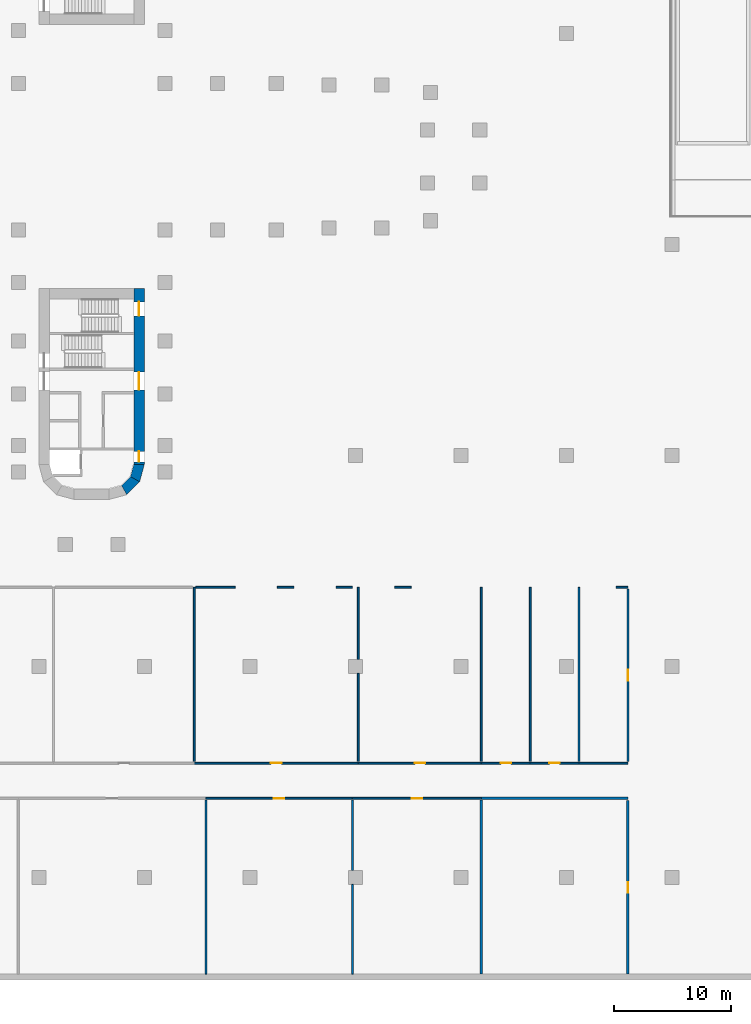
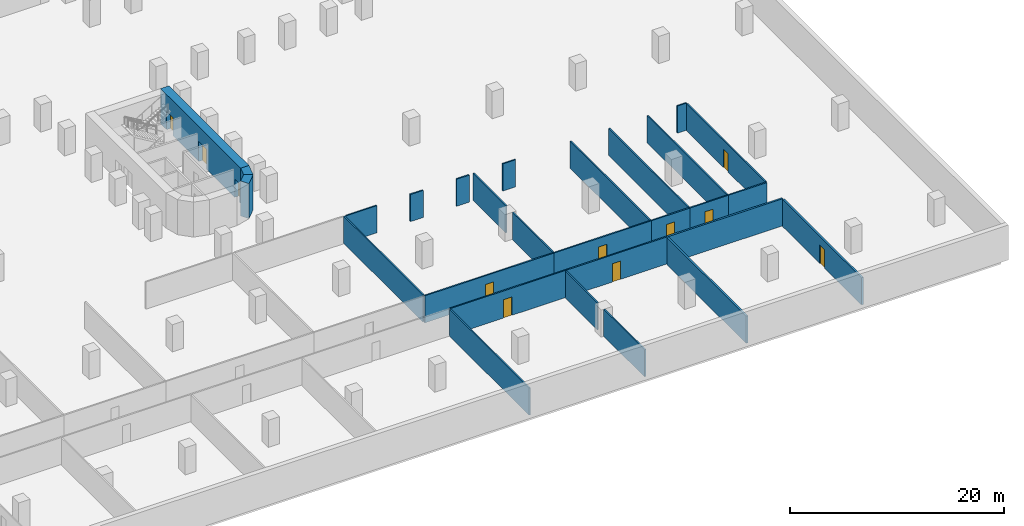
# One storey, part 6 of 11: 28 walls, 11 doors, 11 openings.
"""IFC4 building model written with IfcOpenShell, lengths in metres."""

from ifc_helpers import new_model, si_unit, direction, frame, frame_2d, origin, place, context, subcontext, project, spatial, polyline, rectangle, outline, extrude, material, layer, layer_set, type_object, element, fill, save


model = new_model("IFC4")

# Units and contexts
model_context = context("Model", 3, precision=1e-05, world=origin(), true_north=direction((0.0, 1.0)))
body_context = subcontext(model_context, "Body", "Model", "MODEL_VIEW")
ifc_project = project(units=[si_unit("LENGTHUNIT", "METRE"), si_unit("AREAUNIT", "SQUARE_METRE"), si_unit("VOLUMEUNIT", "CUBIC_METRE"), si_unit("PLANEANGLEUNIT", "RADIAN"), si_unit("MASSUNIT", "GRAM", prefix="KILO")], contexts=[model_context])

# Site, building, storey
site_placement = place(None, origin())
site = spatial("IfcSite", under=ifc_project, at=site_placement, CompositionType="ELEMENT")
building_placement = place(site_placement, origin())
building = spatial("IfcBuilding", under=site, at=building_placement, Name="Zarbagh Exchange Tower", CompositionType="ELEMENT")
storey_placement = place(building_placement, frame((0.0, 0.0, -4.0)))
storey = spatial("IfcBuildingStorey", under=building, at=storey_placement, Name="B1", CompositionType="ELEMENT", Elevation=-4.0)

# Wall, opening, door
ifc_material_1 = material(Name="Plasterboard partition")
ifc_layer_1 = layer(ifc_material_1, 0.14990234375)
ifc_layer_set_1 = layer_set([ifc_layer_1], Name="Board partition 150")
wall_type_1 = type_object("IfcWallType", Name="Board partition 150", PredefinedType="PARTITIONING", material=ifc_layer_set_1)
wall_1_placement = place(storey_placement, frame((22.25, -54.75, 0.0), z_axis=(0.0, 0.0, 1.0), x_axis=(-1.0, 0.0, 0.0)))
wall_1 = element("IfcWall", 1, at=wall_1_placement, inside=storey, type_object=wall_type_1, Name="WL-B1-W018", PredefinedType="PARTITIONING", context=body_context, shape_type="SweptSolid", body=[
    extrude(rectangle(XDim=12.5, YDim=0.14990234375, at=frame_2d((6.25, 0.0))), origin(), (0.0, 0.0, 1.0), 3.10009765625),
])
opening_1_placement = place(wall_1_placement, frame((5.800048828125, 0.0, 0.0)))
opening_1 = element("IfcOpeningElement", 2, at=opening_1_placement, cuts=wall_1, Name="Opening D12", PredefinedType="OPENING", context=body_context, shape_type="SweptSolid", body=[
    extrude(rectangle(XDim=0.89990234375, YDim=2.10009765625, at=frame_2d((0.449951171875, 1.050048828125))), frame((0.0, 0.0849609375, 0.0), z_axis=(0.0, -1.0, 0.0), x_axis=(1.0, 0.0, 0.0)), (0.0, 0.0, 1.0), 0.169921875),
])
ifc_material_2 = material(Name="Timber door leaf", Category="wood")
door_type_1 = type_object("IfcDoorType", Name="Door single 900x2100", OperationType="SINGLE_SWING_LEFT", PredefinedType="DOOR", material=ifc_material_2)
door_1_placement = place(opening_1_placement, origin())
door_1 = element("IfcDoor", 3, at=door_1_placement, inside=storey, type_object=door_type_1, Name="D12", OperationType="SINGLE_SWING_LEFT", OverallHeight=2.10009765625, OverallWidth=0.89990234375, PredefinedType="DOOR", context=body_context, shape_type="SweptSolid", body=[
    extrude(rectangle(XDim=0.89990234375, YDim=2.10009765625, at=frame_2d((0.449951171875, 1.050048828125))), frame((0.0, 0.02490234375, 0.0), z_axis=(0.0, -1.0, 0.0), x_axis=(1.0, 0.0, 0.0)), (0.0, 0.0, 1.0), 0.050048828125),
])
fill(opening_1, door_1)

wall_2_placement = place(storey_placement, frame((33.25, -54.75, 0.0), z_axis=(0.0, 0.0, 1.0), x_axis=(-1.0, 0.0, 0.0)))
wall_2 = element("IfcWall", 4, at=wall_2_placement, inside=storey, type_object=wall_type_1, Name="WL-B1-W019", PredefinedType="PARTITIONING", context=body_context, shape_type="SweptSolid", body=[
    extrude(rectangle(XDim=11.0, YDim=0.14990234375, at=frame_2d((5.5, 0.0))), origin(), (0.0, 0.0, 1.0), 3.10009765625),
])
opening_2_placement = place(wall_2_placement, frame((5.050048828125, 0.0, 0.0)))
opening_2 = element("IfcOpeningElement", 5, at=opening_2_placement, cuts=wall_2, Name="Opening D13", PredefinedType="OPENING", context=body_context, shape_type="SweptSolid", body=[
    extrude(rectangle(XDim=0.89990234375, YDim=2.10009765625, at=frame_2d((0.449951171875, 1.050048828125))), frame((0.0, 0.0849609375, 0.0), z_axis=(0.0, -1.0, 0.0), x_axis=(1.0, 0.0, 0.0)), (0.0, 0.0, 1.0), 0.169921875),
])
door_2_placement = place(opening_2_placement, origin())
door_2 = element("IfcDoor", 6, at=door_2_placement, inside=storey, type_object=door_type_1, Name="D13", OperationType="SINGLE_SWING_LEFT", OverallHeight=2.10009765625, OverallWidth=0.89990234375, PredefinedType="DOOR", context=body_context, shape_type="SweptSolid", body=[
    extrude(rectangle(XDim=0.89990234375, YDim=2.10009765625, at=frame_2d((0.449951171875, 1.050048828125))), frame((0.0, 0.02490234375, 0.0), z_axis=(0.0, -1.0, 0.0), x_axis=(1.0, 0.0, 0.0)), (0.0, 0.0, 1.0), 0.050048828125),
])
fill(opening_2, door_2)

wall_3_placement = place(storey_placement, frame((8.75, -51.75, 0.0), z_axis=(0.0, 0.0, 1.0), x_axis=(1.0, 0.0, 0.0)))
wall_3 = element("IfcWall", 7, at=wall_3_placement, inside=storey, type_object=wall_type_1, Name="WL-B1-W025", PredefinedType="PARTITIONING", context=body_context, shape_type="SweptSolid", body=[
    extrude(rectangle(XDim=14.0, YDim=0.14990234375, at=frame_2d((7.0, 0.0))), origin(), (0.0, 0.0, 1.0), 3.10009765625),
])
opening_3_placement = place(wall_3_placement, frame((6.550048828125, 0.0, 0.0)))
opening_3 = element("IfcOpeningElement", 8, at=opening_3_placement, cuts=wall_3, Name="Opening D17", PredefinedType="OPENING", context=body_context, shape_type="SweptSolid", body=[
    extrude(rectangle(XDim=0.89990234375, YDim=2.10009765625, at=frame_2d((0.449951171875, 1.050048828125))), frame((0.0, 0.0849609375, 0.0), z_axis=(0.0, -1.0, 0.0), x_axis=(1.0, 0.0, 0.0)), (0.0, 0.0, 1.0), 0.169921875),
])
door_3_placement = place(opening_3_placement, origin())
door_3 = element("IfcDoor", 9, at=door_3_placement, inside=storey, type_object=door_type_1, Name="D17", OperationType="SINGLE_SWING_LEFT", OverallHeight=2.10009765625, OverallWidth=0.89990234375, PredefinedType="DOOR", context=body_context, shape_type="SweptSolid", body=[
    extrude(rectangle(XDim=0.89990234375, YDim=2.10009765625, at=frame_2d((0.449951171875, 1.050048828125))), frame((0.0, 0.02490234375, 0.0), z_axis=(0.0, -1.0, 0.0), x_axis=(1.0, 0.0, 0.0)), (0.0, 0.0, 1.0), 0.050048828125),
])
fill(opening_3, door_3)

wall_4_placement = place(storey_placement, frame((22.75, -51.75, 0.0), z_axis=(0.0, 0.0, 1.0), x_axis=(1.0, 0.0, 0.0)))
wall_4 = element("IfcWall", 10, at=wall_4_placement, inside=storey, type_object=wall_type_1, Name="WL-B1-W026", PredefinedType="PARTITIONING", context=body_context, shape_type="SweptSolid", body=[
    extrude(rectangle(XDim=10.5, YDim=0.14990234375, at=frame_2d((5.25, 0.0))), origin(), (0.0, 0.0, 1.0), 3.10009765625),
])
opening_4_placement = place(wall_4_placement, frame((4.800048828125, 0.0, 0.0)))
opening_4 = element("IfcOpeningElement", 11, at=opening_4_placement, cuts=wall_4, Name="Opening D18", PredefinedType="OPENING", context=body_context, shape_type="SweptSolid", body=[
    extrude(rectangle(XDim=0.89990234375, YDim=2.10009765625, at=frame_2d((0.449951171875, 1.050048828125))), frame((0.0, 0.0849609375, 0.0), z_axis=(0.0, -1.0, 0.0), x_axis=(1.0, 0.0, 0.0)), (0.0, 0.0, 1.0), 0.169921875),
])
door_4_placement = place(opening_4_placement, origin())
door_4 = element("IfcDoor", 12, at=door_4_placement, inside=storey, type_object=door_type_1, Name="D18", OperationType="SINGLE_SWING_LEFT", OverallHeight=2.10009765625, OverallWidth=0.89990234375, PredefinedType="DOOR", context=body_context, shape_type="SweptSolid", body=[
    extrude(rectangle(XDim=0.89990234375, YDim=2.10009765625, at=frame_2d((0.449951171875, 1.050048828125))), frame((0.0, 0.02490234375, 0.0), z_axis=(0.0, -1.0, 0.0), x_axis=(1.0, 0.0, 0.0)), (0.0, 0.0, 1.0), 0.050048828125),
])
fill(opening_4, door_4)

wall_5_placement = place(storey_placement, frame((33.25, -51.75, 0.0), z_axis=(0.0, 0.0, 1.0), x_axis=(1.0, 0.0, 0.0)))
wall_5 = element("IfcWall", 13, at=wall_5_placement, inside=storey, type_object=wall_type_1, Name="WL-B1-W027", PredefinedType="PARTITIONING", context=body_context, shape_type="SweptSolid", body=[
    extrude(rectangle(XDim=4.166748046875, YDim=0.14990234375, at=frame_2d((2.08349609375, 0.0))), origin(), (0.0, 0.0, 1.0), 3.10009765625),
])
opening_5_placement = place(wall_5_placement, frame((1.633056640625, 0.0, 0.0)))
opening_5 = element("IfcOpeningElement", 14, at=opening_5_placement, cuts=wall_5, Name="Opening D64", PredefinedType="OPENING", context=body_context, shape_type="SweptSolid", body=[
    extrude(rectangle(XDim=0.89990234375, YDim=2.10009765625, at=frame_2d((0.449951171875, 1.050048828125))), frame((0.0, 0.0849609375, 0.0), z_axis=(0.0, -1.0, 0.0), x_axis=(1.0, 0.0, 0.0)), (0.0, 0.0, 1.0), 0.169921875),
])
door_5_placement = place(opening_5_placement, origin())
door_5 = element("IfcDoor", 15, at=door_5_placement, inside=storey, type_object=door_type_1, Name="D19", OperationType="SINGLE_SWING_LEFT", OverallHeight=2.10009765625, OverallWidth=0.89990234375, PredefinedType="DOOR", context=body_context, shape_type="SweptSolid", body=[
    extrude(rectangle(XDim=0.89990234375, YDim=2.10009765625, at=frame_2d((0.449951171875, 1.050048828125))), frame((0.0, 0.02490234375, 0.0), z_axis=(0.0, -1.0, 0.0), x_axis=(1.0, 0.0, 0.0)), (0.0, 0.0, 1.0), 0.050048828125),
])
fill(opening_5, door_5)

wall_6_placement = place(storey_placement, frame((37.416748046875, -51.75, 0.0), z_axis=(0.0, 0.0, 1.0), x_axis=(1.0, 0.0, 0.0)))
wall_6 = element("IfcWall", 16, at=wall_6_placement, inside=storey, type_object=wall_type_1, Name="WL-B1-W028", PredefinedType="PARTITIONING", context=body_context, shape_type="SweptSolid", body=[
    extrude(rectangle(XDim=4.16650390625, YDim=0.14990234375, at=frame_2d((2.083251953125, 0.0))), origin(), (0.0, 0.0, 1.0), 3.10009765625),
])
opening_6_placement = place(wall_6_placement, frame((1.633056640625, 0.0, 0.0)))
opening_6 = element("IfcOpeningElement", 17, at=opening_6_placement, cuts=wall_6, Name="Opening D20", PredefinedType="OPENING", context=body_context, shape_type="SweptSolid", body=[
    extrude(rectangle(XDim=0.89990234375, YDim=2.10009765625, at=frame_2d((0.449951171875, 1.050048828125))), frame((0.0, 0.0849609375, 0.0), z_axis=(0.0, -1.0, 0.0), x_axis=(1.0, 0.0, 0.0)), (0.0, 0.0, 1.0), 0.169921875),
])
door_6_placement = place(opening_6_placement, origin())
door_6 = element("IfcDoor", 18, at=door_6_placement, inside=storey, type_object=door_type_1, Name="D20", OperationType="SINGLE_SWING_LEFT", OverallHeight=2.10009765625, OverallWidth=0.89990234375, PredefinedType="DOOR", context=body_context, shape_type="SweptSolid", body=[
    extrude(rectangle(XDim=0.89990234375, YDim=2.10009765625, at=frame_2d((0.449951171875, 1.050048828125))), frame((0.0, 0.02490234375, 0.0), z_axis=(0.0, -1.0, 0.0), x_axis=(1.0, 0.0, 0.0)), (0.0, 0.0, 1.0), 0.050048828125),
])
fill(opening_6, door_6)

# Walls
wall_7_placement = place(storey_placement, frame((41.583251953125, -51.75, 0.0), z_axis=(0.0, 0.0, 1.0), x_axis=(1.0, 0.0, 0.0)))
element("IfcWall", 19, at=wall_7_placement, inside=storey, type_object=wall_type_1, Name="WL-B1-W029", PredefinedType="PARTITIONING", context=body_context, shape_type="SweptSolid", body=[
    extrude(rectangle(XDim=4.166748046875, YDim=0.14990234375, at=frame_2d((2.08349609375, 0.0))), origin(), (0.0, 0.0, 1.0), 3.10009765625),
])
wall_8_placement = place(storey_placement, frame((9.75, -54.89990234375, 0.0), z_axis=(0.0, 0.0, 1.0), x_axis=(0.0, -1.0, 0.0)))
element("IfcWall", 20, at=wall_8_placement, inside=storey, type_object=wall_type_1, Name="WL-B1-W033", PredefinedType="PARTITIONING", context=body_context, shape_type="SweptSolid", body=[
    extrude(rectangle(XDim=14.85009765625, YDim=0.14990234375, at=frame_2d((7.425048828125, 0.0))), origin(), (0.0, 0.0, 1.0), 3.10009765625),
])
wall_9_placement = place(storey_placement, frame((22.25, -54.89990234375, 0.0), z_axis=(0.0, 0.0, 1.0), x_axis=(0.0, -1.0, 0.0)))
element("IfcWall", 21, at=wall_9_placement, inside=storey, type_object=wall_type_1, Name="WL-B1-W034", PredefinedType="PARTITIONING", context=body_context, shape_type="SweptSolid", body=[
    extrude(rectangle(XDim=6.0, YDim=0.14990234375, at=frame_2d((3.0, 0.0))), origin(), (0.0, 0.0, 1.0), 3.10009765625),
])
wall_10_placement = place(storey_placement, frame((22.25, -62.10009765625, 0.0), z_axis=(0.0, 0.0, 1.0), x_axis=(0.0, -1.0, 0.0)))
element("IfcWall", 22, at=wall_10_placement, inside=storey, type_object=wall_type_1, Name="WL-B1-W035", PredefinedType="PARTITIONING", context=body_context, shape_type="SweptSolid", body=[
    extrude(rectangle(XDim=7.64990234375, YDim=0.14990234375, at=frame_2d((3.824951171875, 0.0))), origin(), (0.0, 0.0, 1.0), 3.10009765625),
])
wall_11_placement = place(storey_placement, frame((8.75, -36.75, 0.0), z_axis=(0.0, 0.0, 1.0), x_axis=(0.0, -1.0, 0.0)))
element("IfcWall", 23, at=wall_11_placement, inside=storey, type_object=wall_type_1, Name="WL-B1-W042", PredefinedType="PARTITIONING", context=body_context, shape_type="SweptSolid", body=[
    extrude(rectangle(XDim=14.85009765625, YDim=0.14990234375, at=frame_2d((7.425048828125, 0.0))), origin(), (0.0, 0.0, 1.0), 3.10009765625),
])
wall_12_placement = place(storey_placement, frame((22.75, -36.75, 0.0), z_axis=(0.0, 0.0, 1.0), x_axis=(0.0, -1.0, 0.0)))
element("IfcWall", 24, at=wall_12_placement, inside=storey, type_object=wall_type_1, Name="WL-B1-W044", PredefinedType="PARTITIONING", context=body_context, shape_type="SweptSolid", body=[
    extrude(rectangle(XDim=6.14990234375, YDim=0.14990234375, at=frame_2d((3.074951171875, 0.0))), origin(), (0.0, 0.0, 1.0), 3.10009765625),
])
wall_13_placement = place(storey_placement, frame((22.75, -44.10009765625, 0.0), z_axis=(0.0, 0.0, 1.0), x_axis=(0.0, -1.0, 0.0)))
element("IfcWall", 25, at=wall_13_placement, inside=storey, type_object=wall_type_1, Name="WL-B1-W045", PredefinedType="PARTITIONING", context=body_context, shape_type="SweptSolid", body=[
    extrude(rectangle(XDim=7.5, YDim=0.14990234375, at=frame_2d((3.75, 0.0))), origin(), (0.0, 0.0, 1.0), 3.10009765625),
])
wall_14_placement = place(storey_placement, frame((8.89990234375, -36.75, 0.0), z_axis=(0.0, 0.0, 1.0), x_axis=(1.0, 0.0, 0.0)))
element("IfcWall", 26, at=wall_14_placement, inside=storey, type_object=wall_type_1, Name="WL-B1-W046", PredefinedType="PARTITIONING", context=body_context, shape_type="SweptSolid", body=[
    extrude(rectangle(XDim=3.35009765625, YDim=0.14990234375, at=frame_2d((1.675048828125, 0.0))), origin(), (0.0, 0.0, 1.0), 3.10009765625),
])
for number, where, z_axis, x_axis, name in (
    (27, (15.85009765625, -36.75, 0.0), (0.0, 0.0, 1.0), (1.0, 0.0, 0.0), "WL-B1-W047"),
    (28, (20.85009765625, -36.75, 0.0), (0.0, 0.0, 1.0), (1.0, 0.0, 0.0), "WL-B1-W048"),
):
    element("IfcWall", number, at=place(storey_placement, frame(where, z_axis=z_axis, x_axis=x_axis)), inside=storey, type_object=wall_type_1, Name=name, PredefinedType="PARTITIONING", context=body_context, shape_type="SweptSolid", body=[
        extrude(rectangle(XDim=1.39990234375, YDim=0.14990234375, at=frame_2d((0.699951171875, 0.0))), origin(), (0.0, 0.0, 1.0), 3.10009765625),
    ])
wall_15_placement = place(storey_placement, frame((33.25, -36.75, 0.0), z_axis=(0.0, 0.0, 1.0), x_axis=(0.0, -1.0, 0.0)))
element("IfcWall", 29, at=wall_15_placement, inside=storey, type_object=wall_type_1, Name="WL-B1-W049", PredefinedType="PARTITIONING", context=body_context, shape_type="SweptSolid", body=[
    extrude(rectangle(XDim=14.85009765625, YDim=0.14990234375, at=frame_2d((7.425048828125, 0.0))), origin(), (0.0, 0.0, 1.0), 3.10009765625),
])
wall_16_placement = place(storey_placement, frame((25.85009765625, -36.75, 0.0), z_axis=(0.0, 0.0, 1.0), x_axis=(1.0, 0.0, 0.0)))
element("IfcWall", 30, at=wall_16_placement, inside=storey, type_object=wall_type_1, Name="WL-B1-W050", PredefinedType="PARTITIONING", context=body_context, shape_type="SweptSolid", body=[
    extrude(rectangle(XDim=1.39990234375, YDim=0.14990234375, at=frame_2d((0.699951171875, 0.0))), origin(), (0.0, 0.0, 1.0), 3.10009765625),
])
for number, where, z_axis, x_axis, name in (
    (31, (37.416748046875, -36.75, 0.0), (0.0, 0.0, 1.0), (0.0, -1.0, 0.0), "WL-B1-W051"),
    (32, (41.583251953125, -36.75, 0.0), (0.0, 0.0, 1.0), (0.0, -1.0, 0.0), "WL-B1-W052"),
):
    element("IfcWall", number, at=place(storey_placement, frame(where, z_axis=z_axis, x_axis=x_axis)), inside=storey, type_object=wall_type_1, Name=name, PredefinedType="PARTITIONING", context=body_context, shape_type="SweptSolid", body=[
        extrude(rectangle(XDim=14.85009765625, YDim=0.14990234375, at=frame_2d((7.425048828125, 0.0))), origin(), (0.0, 0.0, 1.0), 3.10009765625),
    ])
wall_17_placement = place(storey_placement, frame((44.75, -36.75, 0.0), z_axis=(0.0, 0.0, 1.0), x_axis=(1.0, 0.0, 0.0)))
element("IfcWall", 33, at=wall_17_placement, inside=storey, type_object=wall_type_1, Name="WL-B1-W053", PredefinedType="PARTITIONING", context=body_context, shape_type="SweptSolid", body=[
    extrude(rectangle(XDim=1.0, YDim=0.14990234375, at=frame_2d((0.5, 0.0))), origin(), (0.0, 0.0, 1.0), 3.10009765625),
])

# Wall, opening, door
wall_18_placement = place(storey_placement, frame((45.75, -51.60009765625, 0.0), z_axis=(0.0, 0.0, 1.0), x_axis=(0.0, 1.0, 0.0)))
wall_18 = element("IfcWall", 34, at=wall_18_placement, inside=storey, type_object=wall_type_1, Name="WL-B1-W054", PredefinedType="PARTITIONING", context=body_context, shape_type="SweptSolid", body=[
    extrude(rectangle(XDim=14.7001953125, YDim=0.14990234375, at=frame_2d((7.35009765625, 0.0))), origin(), (0.0, 0.0, 1.0), 3.10009765625),
])
opening_7_placement = place(wall_18_placement, frame((6.89990234375, 0.0, 0.0)))
opening_7 = element("IfcOpeningElement", 35, at=opening_7_placement, cuts=wall_18, Name="Opening D22", PredefinedType="OPENING", context=body_context, shape_type="SweptSolid", body=[
    extrude(rectangle(XDim=0.89990234375, YDim=2.10009765625, at=frame_2d((0.449951171875, 1.050048828125))), frame((0.0, 0.0849609375, 0.0), z_axis=(0.0, -1.0, 0.0), x_axis=(1.0, 0.0, 0.0)), (0.0, 0.0, 1.0), 0.169921875),
])
door_7_placement = place(opening_7_placement, origin())
door_7 = element("IfcDoor", 36, at=door_7_placement, inside=storey, type_object=door_type_1, Name="D22", OperationType="SINGLE_SWING_LEFT", OverallHeight=2.10009765625, OverallWidth=0.89990234375, PredefinedType="DOOR", context=body_context, shape_type="SweptSolid", body=[
    extrude(rectangle(XDim=0.89990234375, YDim=2.10009765625, at=frame_2d((0.449951171875, 1.050048828125))), frame((0.0, 0.02490234375, 0.0), z_axis=(0.0, -1.0, 0.0), x_axis=(1.0, 0.0, 0.0)), (0.0, 0.0, 1.0), 0.050048828125),
])
fill(opening_7, door_7)

# Walls
ifc_material_3 = material(Name="Concrete block partition", Category="concrete")
ifc_layer_2 = layer(ifc_material_3, 0.199951171875)
ifc_layer_set_2 = layer_set([ifc_layer_2], Name="Fire-rated block partition 200 EI 60")
wall_type_2 = type_object("IfcWallType", Name="Fire-rated block partition 200 EI 60", PredefinedType="PARTITIONING", material=ifc_layer_set_2)
wall_19_placement = place(storey_placement, frame((45.75, -54.75, 0.0), z_axis=(0.0, 0.0, 1.0), x_axis=(-1.0, 0.0, 0.0)))
element("IfcWall", 37, at=wall_19_placement, inside=storey, type_object=wall_type_2, Name="WL-B1-W020", PredefinedType="PARTITIONING", context=body_context, shape_type="SweptSolid", body=[
    extrude(rectangle(XDim=12.5, YDim=0.199951171875, at=frame_2d((6.25, 0.0))), origin(), (0.0, 0.0, 1.0), 3.10009765625),
])
wall_20_placement = place(storey_placement, frame((33.25, -54.89990234375, 0.0), z_axis=(0.0, 0.0, 1.0), x_axis=(0.0, -1.0, 0.0)))
element("IfcWall", 38, at=wall_20_placement, inside=storey, type_object=wall_type_2, Name="WL-B1-W036", PredefinedType="PARTITIONING", context=body_context, shape_type="SweptSolid", body=[
    extrude(rectangle(XDim=14.85009765625, YDim=0.199951171875, at=frame_2d((7.425048828125, 0.0))), origin(), (0.0, 0.0, 1.0), 3.10009765625),
])

# Wall, opening, door
wall_21_placement = place(storey_placement, frame((45.75, -69.75, 0.0), z_axis=(0.0, 0.0, 1.0), x_axis=(0.0, 1.0, 0.0)))
wall_21 = element("IfcWall", 39, at=wall_21_placement, inside=storey, type_object=wall_type_2, Name="WL-B1-W037", PredefinedType="PARTITIONING", context=body_context, shape_type="SweptSolid", body=[
    extrude(rectangle(XDim=14.800048828125, YDim=0.199951171875, at=frame_2d((7.39990234375, 0.0))), origin(), (0.0, 0.0, 1.0), 3.10009765625),
])
opening_8_placement = place(wall_21_placement, frame((6.949951171875, 0.0, 0.0)))
opening_8 = element("IfcOpeningElement", 40, at=opening_8_placement, cuts=wall_21, Name="Opening D66", PredefinedType="OPENING", context=body_context, shape_type="SweptSolid", body=[
    extrude(rectangle(XDim=0.89990234375, YDim=2.10009765625, at=frame_2d((0.449951171875, 1.050048828125))), frame((0.0, 0.10986328125, 0.0), z_axis=(0.0, -1.0, 0.0), x_axis=(1.0, 0.0, 0.0)), (0.0, 0.0, 1.0), 0.219970703125),
])
ifc_material_4 = material(Name="Steel door set", Category="steel")
door_type_2 = type_object("IfcDoorType", Name="Door single 900x2100 EI 60", OperationType="SINGLE_SWING_LEFT", PredefinedType="DOOR", material=ifc_material_4)
door_8_placement = place(opening_8_placement, origin())
door_8 = element("IfcDoor", 41, at=door_8_placement, inside=storey, type_object=door_type_2, Name="D21", OperationType="SINGLE_SWING_LEFT", OverallHeight=2.10009765625, OverallWidth=0.89990234375, PredefinedType="DOOR", context=body_context, shape_type="SweptSolid", body=[
    extrude(rectangle(XDim=0.89990234375, YDim=2.10009765625, at=frame_2d((0.449951171875, 1.050048828125))), frame((0.0, 0.02490234375, 0.0), z_axis=(0.0, -1.0, 0.0), x_axis=(1.0, 0.0, 0.0)), (0.0, 0.0, 1.0), 0.050048828125),
])
fill(opening_8, door_8)

# Walls
ifc_material_5 = material(Name="Concrete C60/75", Category="concrete")
ifc_layer_3 = layer(ifc_material_5, 0.89990234375)
ifc_layer_set_3 = layer_set([ifc_layer_3], Name="RC core corner wall 900 C60/75")
wall_type_3 = type_object("IfcWallType", Name="RC core corner wall 900 C60/75", PredefinedType="SHEAR", material=ifc_layer_set_3)
wall_22_placement = place(storey_placement, origin())
element("IfcWall", 42, at=wall_22_placement, inside=storey, type_object=wall_type_3, Name="CW2 core S corner E", PredefinedType="SHEAR", context=body_context, shape_type="SweptSolid", body=[
    extrude(outline(polyline([(4.5, -26.25), (4.09814453125, -27.75), (3.318603515625, -27.300048828125), (3.60009765625, -26.25), (4.5, -26.25)])), origin(), (0.0, 0.0, 1.0), 4.0),
])
wall_23_placement = place(storey_placement, origin())
element("IfcWall", 43, at=wall_23_placement, inside=storey, type_object=wall_type_3, Name="CW2 core S corner E", PredefinedType="SHEAR", context=body_context, shape_type="SweptSolid", body=[
    extrude(outline(polyline([(4.09814453125, -27.75), (3.0, -28.84814453125), (2.550048828125, -28.068603515625), (3.318603515625, -27.300048828125), (4.09814453125, -27.75)])), origin(), (0.0, 0.0, 1.0), 4.0),
])

# Wall, openings, doors
ifc_layer_4 = layer(ifc_material_5, 0.89990234375)
ifc_layer_set_4 = layer_set([ifc_layer_4], Name="RC core wall 900 C60/75")
wall_type_4 = type_object("IfcWallType", Name="RC core wall 900 C60/75", PredefinedType="SHEAR", material=ifc_layer_set_4)
wall_24_placement = place(storey_placement, frame((4.050048828125, -11.25, 0.0), z_axis=(0.0, 0.0, 1.0), x_axis=(0.0, -1.0, 0.0)))
wall_24 = element("IfcWall", 44, at=wall_24_placement, inside=storey, type_object=wall_type_4, Name="CW1 core S E", PredefinedType="SHEAR", context=body_context, shape_type="SweptSolid", body=[
    extrude(rectangle(XDim=15.0, YDim=0.89990234375, at=frame_2d((7.5, 0.0))), origin(), (0.0, 0.0, 1.0), 4.0),
])
opening_9_placement = place(wall_24_placement, frame((7.14990234375, 0.0, 0.0)))
opening_9 = element("IfcOpeningElement", 45, at=opening_9_placement, cuts=wall_24, Name="Opening CD1-1500", PredefinedType="OPENING", context=body_context, shape_type="SweptSolid", body=[
    extrude(rectangle(XDim=1.5, YDim=2.300048828125, at=frame_2d((0.75, 1.14990234375))), frame((0.0, 0.4599609375, 0.0), z_axis=(0.0, -1.0, 0.0), x_axis=(1.0, 0.0, 0.0)), (0.0, 0.0, 1.0), 0.919921875),
])
opening_10_placement = place(wall_24_placement, frame((13.89990234375, 0.0, 0.0)))
opening_10 = element("IfcOpeningElement", 46, at=opening_10_placement, cuts=wall_24, Name="Opening CD2-900", PredefinedType="OPENING", context=body_context, shape_type="SweptSolid", body=[
    extrude(rectangle(XDim=0.89990234375, YDim=2.10009765625, at=frame_2d((0.449951171875, 1.050048828125))), frame((0.0, 0.4599609375, 0.0), z_axis=(0.0, -1.0, 0.0), x_axis=(1.0, 0.0, 0.0)), (0.0, 0.0, 1.0), 0.919921875),
])
opening_11_placement = place(wall_24_placement, frame((1.14990234375, 0.0, 0.0)))
opening_11 = element("IfcOpeningElement", 47, at=opening_11_placement, cuts=wall_24, Name="Opening SD1-1200", PredefinedType="OPENING", context=body_context, shape_type="SweptSolid", body=[
    extrude(rectangle(XDim=1.199951171875, YDim=2.10009765625, at=frame_2d((0.60009765625, 1.050048828125))), frame((0.0, 0.4599609375, 0.0), z_axis=(0.0, -1.0, 0.0), x_axis=(1.0, 0.0, 0.0)), (0.0, 0.0, 1.0), 0.919921875),
])
ifc_material_6 = material(Name="Steel", Category="steel")
door_type_3 = type_object("IfcDoorType", Name="Exit stair door 1200 x 2100", OperationType="NOTDEFINED", PredefinedType="DOOR", material=ifc_material_6)
door_9_placement = place(opening_11_placement, origin())
door_9 = element("IfcDoor", 48, at=door_9_placement, inside=storey, type_object=door_type_3, Name="South core stair door ST2", OperationType="SINGLE_SWING_LEFT", OverallHeight=2.10009765625, OverallWidth=1.199951171875, PredefinedType="DOOR", context=body_context, shape_type="SweptSolid", body=[
    extrude(rectangle(XDim=1.199951171875, YDim=2.10009765625, at=frame_2d((0.60009765625, 1.050048828125))), frame((0.0, 0.02490234375, 0.0), z_axis=(0.0, -1.0, 0.0), x_axis=(1.0, 0.0, 0.0)), (0.0, 0.0, 1.0), 0.050048828125),
])
fill(opening_11, door_9)
door_type_4 = type_object("IfcDoorType", Name="Firefighting lobby door 900 x 2100", OperationType="NOTDEFINED", PredefinedType="DOOR", material=ifc_material_6)
door_10_placement = place(opening_10_placement, origin())
door_10 = element("IfcDoor", 49, at=door_10_placement, inside=storey, type_object=door_type_4, Name="South core firefighting lobby door FF-W", OperationType="SINGLE_SWING_LEFT", OverallHeight=2.10009765625, OverallWidth=0.89990234375, PredefinedType="DOOR", context=body_context, shape_type="SweptSolid", body=[
    extrude(rectangle(XDim=0.89990234375, YDim=2.10009765625, at=frame_2d((0.449951171875, 1.050048828125))), frame((0.0, 0.02490234375, 0.0), z_axis=(0.0, -1.0, 0.0), x_axis=(1.0, 0.0, 0.0)), (0.0, 0.0, 1.0), 0.050048828125),
])
fill(opening_10, door_10)
door_type_5 = type_object("IfcDoorType", Name="Lift lobby double door 1500 x 2300", OperationType="NOTDEFINED", PredefinedType="DOOR", material=ifc_material_6)
door_11_placement = place(opening_9_placement, origin())
door_11 = element("IfcDoor", 50, at=door_11_placement, inside=storey, type_object=door_type_5, Name="South core lift lobby door LOBBY-W", OperationType="DOUBLE_DOOR_SINGLE_SWING", OverallHeight=2.300048828125, OverallWidth=1.5, PredefinedType="DOOR", context=body_context, shape_type="SweptSolid", body=[
    extrude(rectangle(XDim=1.5, YDim=2.300048828125, at=frame_2d((0.75, 1.14990234375))), frame((0.0, 0.02490234375, 0.0), z_axis=(0.0, -1.0, 0.0), x_axis=(1.0, 0.0, 0.0)), (0.0, 0.0, 1.0), 0.050048828125),
])
fill(opening_9, door_11)

save(model, "model.ifc")
